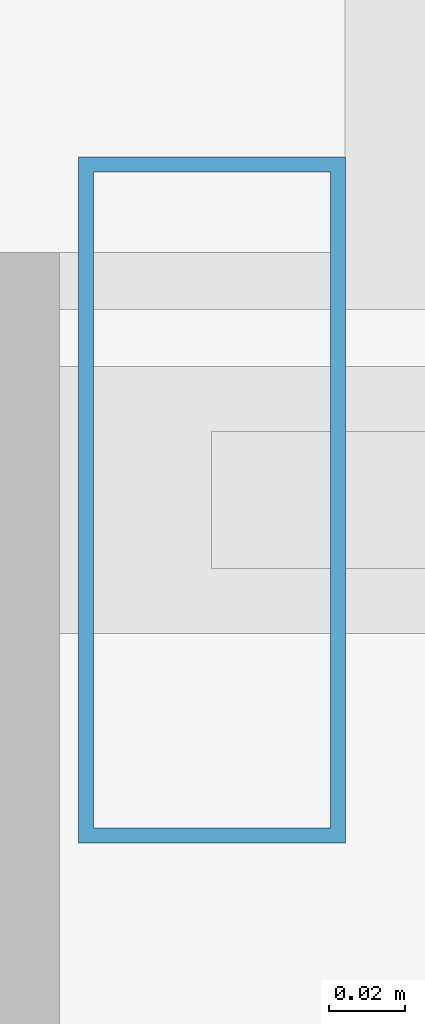
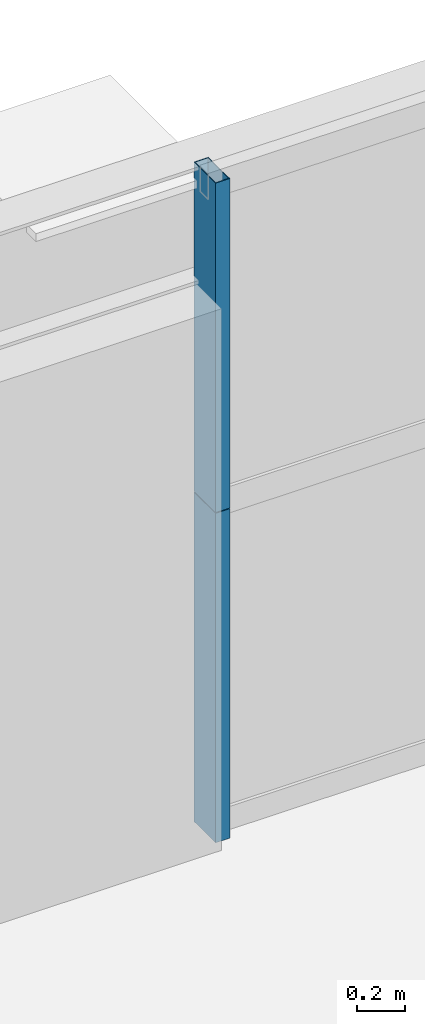
# One storey, part 26 of 43: 2 members, 1 element without a shape of its own.
"""IFC4 building model written with IfcOpenShell, lengths in metres."""

from ifc_helpers import new_model, si_unit, direction, frame, origin, origin_2d, place, context, subcontext, project, spatial, hollow_rectangle, extrude, source, transform, mapped, material, layer, layer_set, material_profile, profile_set, type_object, element, aggregate, save


model = new_model("IFC4")

# Units and contexts
model_context = context("Model", 3, precision=1e-05, world=origin(), true_north=direction((0.0, 1.0)))
body_context = subcontext(model_context, "Body", "Model", "MODEL_VIEW")
ifc_project = project(units=[si_unit("LENGTHUNIT", "METRE"), si_unit("AREAUNIT", "SQUARE_METRE"), si_unit("VOLUMEUNIT", "CUBIC_METRE"), si_unit("PLANEANGLEUNIT", "RADIAN"), si_unit("MASSUNIT", "GRAM", prefix="KILO"), si_unit("THERMODYNAMICTEMPERATUREUNIT", "KELVIN"), si_unit("POWERUNIT", "WATT")], contexts=[model_context])

# Site, building, storey
site_placement = place(None, origin())
site = spatial("IfcSite", under=ifc_project, at=site_placement, CompositionType="ELEMENT")
building_placement = place(site_placement, origin())
building = spatial("IfcBuilding", under=site, at=building_placement, Name="Yuzanri Waterfront Tower", CompositionType="ELEMENT")
storey_placement = place(building_placement, frame((0.0, 0.0, 64.0)))
storey = spatial("IfcBuildingStorey", under=building, at=storey_placement, Name="L16", CompositionType="ELEMENT", Elevation=64.0)

# Curtain wall, members
ifc_material_1 = material(Name="Anodized Architectural Bronze", Category="metal")
ifc_layer = layer(ifc_material_1, 0.159912109375)
ifc_layer_set = layer_set([ifc_layer], Name="Anodized Architectural Bronze")
curtain_wall_type = type_object("IfcCurtainWallType", Name="Anodized Bronze Hotel Lower-Tier Recessed Unitized Curtain Wall 8100", PredefinedType="NOTDEFINED", material=ifc_layer_set)
curtain_wall_placement = place(storey_placement, origin())
curtain_wall = element("IfcCurtainWall", 1, at=curtain_wall_placement, inside=storey, type_object=curtain_wall_type, Name="L16 Curtain Wall CW-L16-NL", PredefinedType="NOTDEFINED")
ifc_material_2 = material(Name="Anodized Architectural Bronze", Category="metal")
ifc_material_profile = material_profile(ifc_material_2, hollow_rectangle(XDim=0.070068359375, YDim=0.179931640625, WallThickness=0.00390625, at=origin_2d()), Name="CWM 70x180")
ifc_profile_set = profile_set([ifc_material_profile], Name="Anodized Architectural Bronze")
member_type = type_object("IfcMemberType", Name="Anodized Bronze Standard Curtain-Wall Mullion 70x180", PredefinedType="MULLION", material=ifc_profile_set)
shared_shape = source(origin(), body_context, "Body", "SweptSolid", [
    extrude(hollow_rectangle(XDim=0.070068359375, YDim=0.179931640625, WallThickness=0.00390625, at=origin_2d()), origin(), (0.0, 0.0, 1.0), 1.68798828125),
])
member_1_placement = place(storey_placement, frame((19.2900390625, 50.75, 0.0), z_axis=(0.0, 0.0, 1.0), x_axis=(1.0, 0.0, 0.0)))
member_1 = element("IfcMember", 2, at=member_1_placement, type_object=member_type, Name="CW-L16-NL Lower Mullion 00", PredefinedType="MULLION", context=body_context, shape_type="MappedRepresentation", body=[
    mapped(shared_shape, transform((0.0, 0.0, 0.0), scale=1.0)),
])
member_2_placement = place(storey_placement, frame((19.2900390625, 50.75, 1.69189453125), z_axis=(0.0, 0.0, 1.0), x_axis=(1.0, 0.0, 0.0)))
member_2 = element("IfcMember", 3, at=member_2_placement, type_object=member_type, Name="CW-L16-NL Upper Mullion 00", PredefinedType="MULLION", context=body_context, shape_type="MappedRepresentation", body=[
    mapped(shared_shape, transform((0.0, 0.0, 0.0), scale=1.0)),
])
aggregate(curtain_wall, [member_1, member_2])

save(model, "model.ifc")
